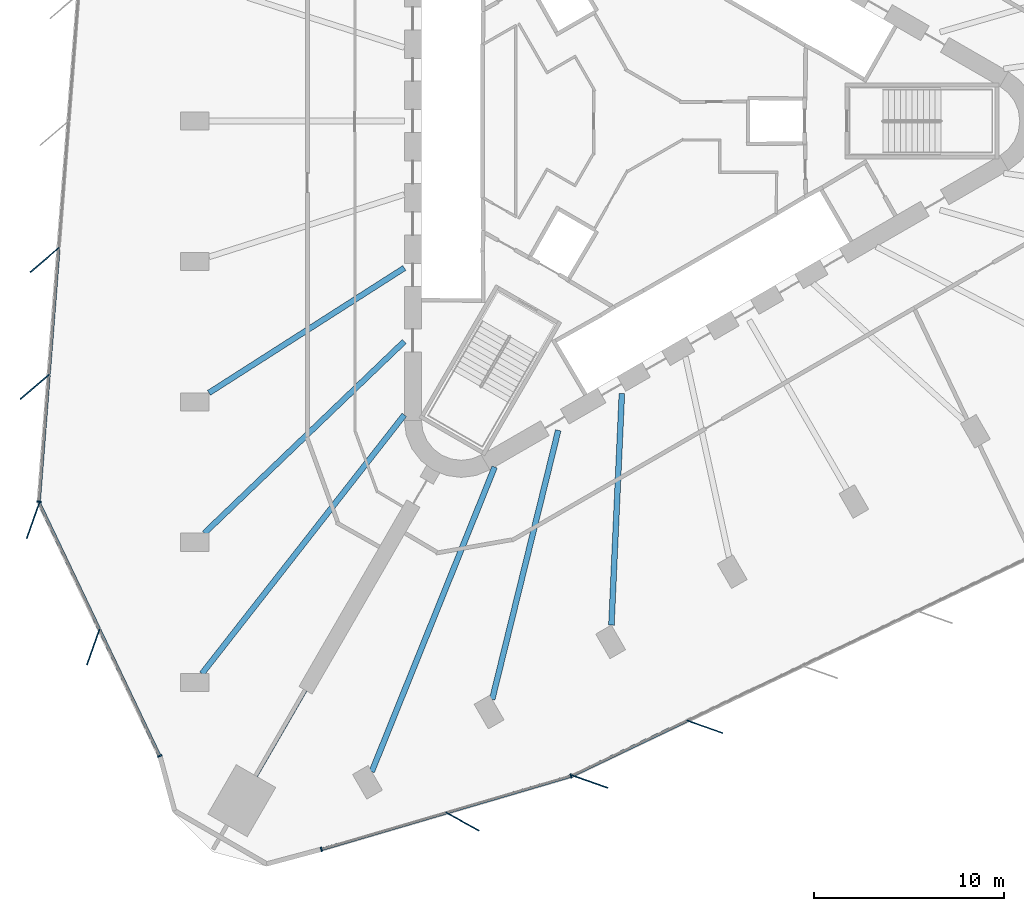
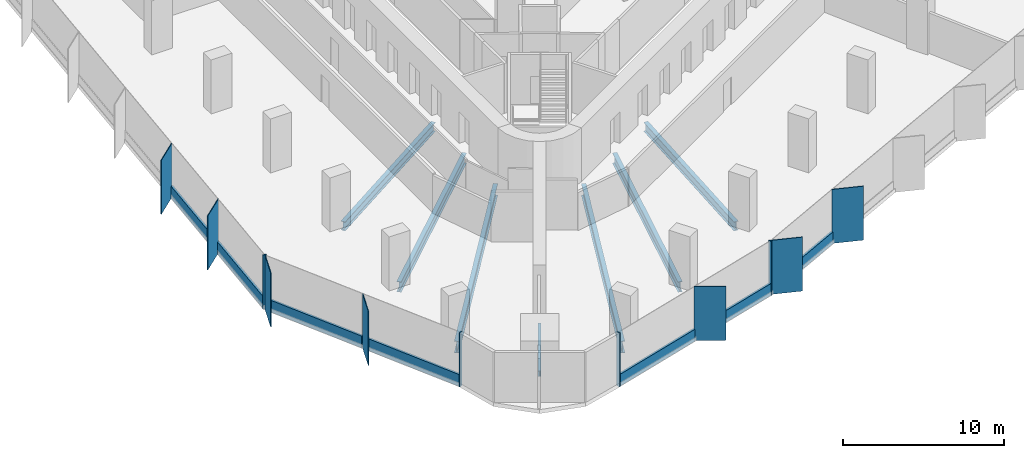
# One storey, part 2 of 14: 18 members, 7 beams, 4 elements without a shape of their own.
"""IFC4 building model written with IfcOpenShell, lengths in metres."""

from ifc_helpers import new_model, si_unit, direction, frame, origin, origin_2d, place, context, subcontext, project, spatial, rectangle, i_section, extrude, material, material_profile, profile_set, type_object, element, aggregate, save


model = new_model("IFC4")

# Units and contexts
model_context = context("Model", 3, precision=1e-05, world=origin(), true_north=direction((0.0, 1.0)))
body_context = subcontext(model_context, "Body", "Model", "MODEL_VIEW")
ifc_project = project(units=[si_unit("LENGTHUNIT", "METRE"), si_unit("AREAUNIT", "SQUARE_METRE"), si_unit("VOLUMEUNIT", "CUBIC_METRE"), si_unit("PLANEANGLEUNIT", "RADIAN"), si_unit("MASSUNIT", "GRAM", prefix="KILO")], contexts=[model_context])

# Site, building, storey
site_placement = place(None, origin())
site = spatial("IfcSite", under=ifc_project, at=site_placement, CompositionType="ELEMENT")
building_placement = place(site_placement, origin())
building = spatial("IfcBuilding", under=site, at=building_placement, Name="Tanit Gate Tower", CompositionType="ELEMENT")
storey_placement = place(building_placement, frame((0.0, 0.0, 90.60009765625)))
storey = spatial("IfcBuildingStorey", under=building, at=storey_placement, Name="L18", CompositionType="ELEMENT", Elevation=90.60009765625)

# Curtain wall, members
ifc_material_1 = material(Name="Aluminium bronze anodised and glass", Category="aluminium")
curtain_wall_type = type_object("IfcCurtainWallType", Name="Curtain wall typical low", PredefinedType="NOTDEFINED", material=ifc_material_1)
curtain_wall_1_placement = place(storey_placement, origin())
curtain_wall_1 = element("IfcCurtainWall", 1, at=curtain_wall_1_placement, inside=storey, type_object=curtain_wall_type, Name="Curtain wall L18 W2", PredefinedType="NOTDEFINED")
ifc_material_2 = material(Name="Aluminium bronze anodised", Category="aluminium")
ifc_material_profile_1 = material_profile(ifc_material_2, rectangle(XDim=2.0, YDim=0.055908203125, at=origin_2d()), Name="56x2000 bronze fin mullion")
ifc_profile_set_1 = profile_set([ifc_material_profile_1], Name="Aluminium bronze anodised")
member_type_1 = type_object("IfcMemberType", Name="FIN MULLION 56x2000 bronze", PredefinedType="MULLION", material=ifc_profile_set_1)
member_1_placement = place(storey_placement, frame((-31.034912109375, -7.313232421875, -0.300048828125), z_axis=(0.0, 0.0, 1.0), x_axis=(0.75991198916, 0.650025975428, 0.0)))
member_1 = element("IfcMember", 2, at=member_1_placement, type_object=member_type_1, Name="Fin mullion L18 W2.5", PredefinedType="MULLION", context=body_context, shape_type="SweptSolid", body=[
    extrude(rectangle(XDim=2.0, YDim=0.055908203125, at=origin_2d()), origin(), (0.0, 0.0, 1.0), 4.099853515625),
])
member_2_placement = place(storey_placement, frame((-31.5556640625, -13.9931640625, -0.300048828125), z_axis=(0.0, 0.0, 1.0), x_axis=(0.75991198916, 0.650025975428, 0.0)))
member_2 = element("IfcMember", 3, at=member_2_placement, type_object=member_type_1, Name="Fin mullion L18 W2.6", PredefinedType="MULLION", context=body_context, shape_type="SweptSolid", body=[
    extrude(rectangle(XDim=2.0, YDim=0.055908203125, at=origin_2d()), origin(), (0.0, 0.0, 1.0), 4.099853515625),
])

curtain_wall_2_placement = place(storey_placement, origin())
curtain_wall_2 = element("IfcCurtainWall", 4, at=curtain_wall_2_placement, inside=storey, type_object=curtain_wall_type, Name="Curtain wall L18 W3", PredefinedType="NOTDEFINED")
member_3_placement = place(storey_placement, frame((-31.646240234375, -21.034912109375, -0.300048828125), z_axis=(0.0, 0.0, 1.0), x_axis=(0.334360696003, 0.942445184065, 0.0)))
member_3 = element("IfcMember", 5, at=member_3_placement, type_object=member_type_1, Name="Fin mullion L18 W3.1", PredefinedType="MULLION", context=body_context, shape_type="SweptSolid", body=[
    extrude(rectangle(XDim=2.0, YDim=0.055908203125, at=origin_2d()), origin(), (0.0, 0.0, 1.0), 4.099853515625),
])
member_4_placement = place(storey_placement, frame((-28.47705078125, -27.689453125, -0.300048828125), z_axis=(0.0, 0.0, 1.0), x_axis=(0.334360696003, 0.942445184065, 0.0)))
member_4 = element("IfcMember", 6, at=member_4_placement, type_object=member_type_1, Name="Fin mullion L18 W3.2", PredefinedType="MULLION", context=body_context, shape_type="SweptSolid", body=[
    extrude(rectangle(XDim=2.0, YDim=0.055908203125, at=origin_2d()), origin(), (0.0, 0.0, 1.0), 4.099853515625),
])

# Curtain wall, member
curtain_wall_3_placement = place(storey_placement, origin())
curtain_wall_3 = element("IfcCurtainWall", 7, at=curtain_wall_3_placement, inside=storey, type_object=curtain_wall_type, Name="Curtain wall L18 SE1", PredefinedType="NOTDEFINED")
member_5_placement = place(storey_placement, frame((-9.0390625, -36.87841796875, -0.300048828125), z_axis=(0.0, 0.0, 1.0), x_axis=(-0.877748339381, 0.479121960166, 0.0)))
member_5 = element("IfcMember", 8, at=member_5_placement, type_object=member_type_1, Name="Fin mullion L18 SE1.2", PredefinedType="MULLION", context=body_context, shape_type="SweptSolid", body=[
    extrude(rectangle(XDim=2.0, YDim=0.055908203125, at=origin_2d()), origin(), (0.0, 0.0, 1.0), 4.099853515625),
])

# Curtain wall, members
curtain_wall_4_placement = place(storey_placement, origin())
curtain_wall_4 = element("IfcCurtainWall", 9, at=curtain_wall_4_placement, inside=storey, type_object=curtain_wall_type, Name="Curtain wall L18 SE2", PredefinedType="NOTDEFINED")
member_6_placement = place(storey_placement, frame((-2.330078125, -34.77685546875, -0.300048828125), z_axis=(0.0, 0.0, 1.0), x_axis=(-0.94289500242, 0.333090099539, 0.0)))
member_6 = element("IfcMember", 10, at=member_6_placement, type_object=member_type_1, Name="Fin mullion L18 SE2.1", PredefinedType="MULLION", context=body_context, shape_type="SweptSolid", body=[
    extrude(rectangle(XDim=2.0, YDim=0.055908203125, at=origin_2d()), origin(), (0.0, 0.0, 1.0), 4.099853515625),
])
member_7_placement = place(storey_placement, frame((3.71533203125, -31.8876953125, -0.300048828125), z_axis=(0.0, 0.0, 1.0), x_axis=(-0.94289500242, 0.333090099539, 0.0)))
member_7 = element("IfcMember", 11, at=member_7_placement, type_object=member_type_1, Name="Fin mullion L18 SE2.2", PredefinedType="MULLION", context=body_context, shape_type="SweptSolid", body=[
    extrude(rectangle(XDim=2.0, YDim=0.055908203125, at=origin_2d()), origin(), (0.0, 0.0, 1.0), 4.099853515625),
])

# Member
ifc_material_3 = material(Name="Aluminium bronze anodised", Category="aluminium")
ifc_material_profile_2 = material_profile(ifc_material_3, rectangle(XDim=0.239990234375, YDim=0.080078125, at=origin_2d()), Name="80x240 bronze mullion")
ifc_profile_set_2 = profile_set([ifc_material_profile_2], Name="Aluminium bronze anodised")
member_type_2 = type_object("IfcMemberType", Name="Mullion 80x240 typical low", PredefinedType="MULLION", material=ifc_profile_set_2)
member_8_placement = place(storey_placement, frame((-31.33349609375, -20.037841796875, -0.300048828125), z_axis=(0.0, 0.0, 1.0), x_axis=(0.996976695812, -0.077701145467, 0.0)))
member_8 = element("IfcMember", 12, at=member_8_placement, type_object=member_type_2, Name="Mullion L18 W2.7", PredefinedType="MULLION", context=body_context, shape_type="SweptSolid", body=[
    extrude(rectangle(XDim=0.239990234375, YDim=0.080078125, at=origin_2d()), origin(), (0.0, 0.0, 1.0), 4.099853515625),
])

member_9_placement = place(storey_placement, frame((-24.98095703125, -33.4228515625, -0.300048828125), z_axis=(0.0, 0.0, 1.0), x_axis=(0.902838096055, 0.429980665043, 0.0)))
member_9 = element("IfcMember", 13, at=member_9_placement, type_object=member_type_2, Name="Mullion L18 W3.3", PredefinedType="MULLION", context=body_context, shape_type="SweptSolid", body=[
    extrude(rectangle(XDim=0.239990234375, YDim=0.080078125, at=origin_2d()), origin(), (0.0, 0.0, 1.0), 4.099853515625),
])

member_10_placement = place(storey_placement, frame((-16.468017578125, -38.340576171875, -0.300048828125), z_axis=(0.0, 0.0, 1.0), x_axis=(-0.281871415903, 0.959452190001, 0.0)))
member_10 = element("IfcMember", 14, at=member_10_placement, type_object=member_type_2, Name="Mullion L18 SE1.1", PredefinedType="MULLION", context=body_context, shape_type="SweptSolid", body=[
    extrude(rectangle(XDim=0.239990234375, YDim=0.080078125, at=origin_2d()), origin(), (0.0, 0.0, 1.0), 4.099853515625),
])

member_11_placement = place(storey_placement, frame((-3.325927734375, -34.479736328125, -0.300048828125), z_axis=(0.0, 0.0, 1.0), x_axis=(-0.281871415903, 0.959452190001, 0.0)))
member_11 = element("IfcMember", 15, at=member_11_placement, type_object=member_type_2, Name="Mullion L18 SE1.3", PredefinedType="MULLION", context=body_context, shape_type="SweptSolid", body=[
    extrude(rectangle(XDim=0.239990234375, YDim=0.080078125, at=origin_2d()), origin(), (0.0, 0.0, 1.0), 4.099853515625),
])

# Beams
ifc_material_4 = material(Name="Steel S355", Category="steel")
ifc_material_profile_3 = material_profile(ifc_material_4, i_section(OverallWidth=0.300048828125, OverallDepth=0.68994140625, WebThickness=0.014404296875, FlangeThickness=0.027099609375, FilletRadius=0.027099609375, at=origin_2d()), Name="HEA 700")
ifc_profile_set_3 = profile_set([ifc_material_profile_3], Name="Steel S355")
beam_type_1 = type_object("IfcBeamType", Name="RADIAL GIRDER HEA 700 S355", PredefinedType="BEAM", material=ifc_profile_set_3)
for number, where, z_axis, x_axis, name in (
    (16, (-22.3837890625, -14.307861328125, -0.64501953125), (0.842570670287, 0.538585801494, 0.0), (-0.538585801494, 0.842570670287, 0.0), "RADIAL GIRDER"),
    (17, (-1.19921875, -26.538818359375, -0.64501953125), (0.045135401382, 0.998980878467, 0.0), (-0.998980878467, 0.045135401382, 0.0), "RADIAL GIRDER"),
):
    element("IfcBeam", number, at=place(storey_placement, frame(where, z_axis=z_axis, x_axis=x_axis)), inside=storey, type_object=beam_type_1, Name=name, PredefinedType="BEAM", context=body_context, shape_type="SweptSolid", body=[
        extrude(i_section(OverallWidth=0.300048828125, OverallDepth=0.68994140625, WebThickness=0.014404296875, FlangeThickness=0.027099609375, FilletRadius=0.027099609375, at=origin_2d()), origin(), (0.0, 0.0, 1.0), 12.202880859375),
    ])
ifc_material_5 = material(Name="Steel S355", Category="steel")
ifc_material_profile_4 = material_profile(ifc_material_5, i_section(OverallWidth=0.300048828125, OverallDepth=0.7900390625, WebThickness=0.014892578125, FlangeThickness=0.028076171875, FilletRadius=0.030029296875, at=origin_2d()), Name="HEA 800")
ifc_profile_set_4 = profile_set([ifc_material_profile_4], Name="Steel S355")
beam_type_2 = type_object("IfcBeamType", Name="RADIAL GIRDER HEA 800 S355", PredefinedType="BEAM", material=ifc_profile_set_4)
for number, where, z_axis, x_axis, name in (
    (18, (-22.63134765625, -21.69921875, -0.695068359375), (0.721812607452, 0.692088549048, 0.0), (-0.692088549048, 0.721812607452, 0.0), "RADIAL GIRDER"),
    (19, (-7.476318359375, -30.44921875, -0.695068359375), (0.238441937153, 0.97115675491, 0.0), (-0.97115675491, 0.238441937153, 0.0), "RADIAL GIRDER"),
):
    element("IfcBeam", number, at=place(storey_placement, frame(where, z_axis=z_axis, x_axis=x_axis)), inside=storey, type_object=beam_type_2, Name=name, PredefinedType="BEAM", context=body_context, shape_type="SweptSolid", body=[
        extrude(i_section(OverallWidth=0.300048828125, OverallDepth=0.7900390625, WebThickness=0.014892578125, FlangeThickness=0.028076171875, FilletRadius=0.030029296875, at=origin_2d()), origin(), (0.0, 0.0, 1.0), 14.58740234375),
    ])
ifc_material_6 = material(Name="Steel S355", Category="steel")
ifc_material_profile_5 = material_profile(ifc_material_6, i_section(OverallWidth=0.300048828125, OverallDepth=0.889892578125, WebThickness=0.01611328125, FlangeThickness=0.030029296875, FilletRadius=0.030029296875, at=origin_2d()), Name="HEA 900")
ifc_profile_set_5 = profile_set([ifc_material_profile_5], Name="Steel S355")
beam_type_3 = type_object("IfcBeamType", Name="RADIAL GIRDER HEA 900 S355", PredefinedType="BEAM", material=ifc_profile_set_5)
for number, where, z_axis, x_axis, name in (
    (20, (-22.755126953125, -29.0908203125, -0.7451171875), (0.616108365998, 0.787661400188, 0.0), (-0.787661400188, 0.616108365998, 0.0), "RADIAL GIRDER"),
    (21, (-13.815673828125, -34.251953125, -0.7451171875), (0.374069410217, 0.927400709693, 0.0), (-0.927400709693, 0.374069410217, 0.0), "RADIAL GIRDER"),
):
    element("IfcBeam", number, at=place(storey_placement, frame(where, z_axis=z_axis, x_axis=x_axis)), inside=storey, type_object=beam_type_3, Name=name, PredefinedType="BEAM", context=body_context, shape_type="SweptSolid", body=[
        extrude(i_section(OverallWidth=0.300048828125, OverallDepth=0.889892578125, WebThickness=0.01611328125, FlangeThickness=0.030029296875, FilletRadius=0.030029296875, at=origin_2d()), origin(), (0.0, 0.0, 1.0), 17.291015625),
    ])
ifc_material_7 = material(Name="Steel S355", Category="steel")
ifc_material_profile_6 = material_profile(ifc_material_7, i_section(OverallWidth=0.179931640625, OverallDepth=0.39990234375, WebThickness=0.008544921875, FlangeThickness=0.013427734375, FilletRadius=0.02099609375, at=origin_2d()), Name="IPE 400")
ifc_profile_set_6 = profile_set([ifc_material_profile_6], Name="Steel S355")
beam_type_4 = type_object("IfcBeamType", Name="RADIAL GIRDER IPE 400 S355", PredefinedType="BEAM", material=ifc_profile_set_6)
beam_placement = place(storey_placement, frame((-19.9091796875, -34.483642578125, -0.5), z_axis=(0.500022437694, 0.866012448988, 0.0), x_axis=(-0.866012448988, 0.500022437694, 0.0)))
element("IfcBeam", 22, at=beam_placement, inside=storey, type_object=beam_type_4, Name="RADIAL GIRDER", PredefinedType="BEAM", context=body_context, shape_type="SweptSolid", body=[
    extrude(i_section(OverallWidth=0.179931640625, OverallDepth=0.39990234375, WebThickness=0.008544921875, FlangeThickness=0.013427734375, FilletRadius=0.02099609375, at=origin_2d()), origin(), (0.0, 0.0, 1.0), 5.213134765625),
])

# Member
ifc_material_8 = material(Name="Aluminium bronze anodised", Category="aluminium")
ifc_material_profile_7 = material_profile(ifc_material_8, rectangle(XDim=0.159912109375, YDim=0.89990234375, at=origin_2d()), Name="160x900 bronze transom")
ifc_profile_set_7 = profile_set([ifc_material_profile_7], Name="Aluminium bronze anodised")
member_type_3 = type_object("IfcMemberType", Name="Transom 160x900 typical low", PredefinedType="USERDEFINED", material=ifc_profile_set_7)
member_12_placement = place(storey_placement, frame((-30.29541015625, -6.718017578125, 0.14990234375), z_axis=(-0.077703246028, -0.996976532099, 0.0), x_axis=(0.996976532099, -0.077703246028, 0.0)))
member_12 = element("IfcMember", 23, at=member_12_placement, type_object=member_type_3, Name="Transom L18 W2.5", ObjectType="TRANSOM", PredefinedType="USERDEFINED", context=body_context, shape_type="SweptSolid", body=[
    extrude(rectangle(XDim=0.159912109375, YDim=0.89990234375, at=origin_2d()), origin(), (0.0, 0.0, 1.0), 6.6201171875),
])

member_13_placement = place(storey_placement, frame((-30.81591796875, -13.397705078125, 0.14990234375), z_axis=(-0.077700389209, -0.996976754752, 0.0), x_axis=(0.996976754752, -0.077700389209, 0.0)))
member_13 = element("IfcMember", 24, at=member_13_placement, type_object=member_type_3, Name="Transom L18 W2.6", ObjectType="TRANSOM", PredefinedType="USERDEFINED", context=body_context, shape_type="SweptSolid", body=[
    extrude(rectangle(XDim=0.159912109375, YDim=0.89990234375, at=origin_2d()), origin(), (0.0, 0.0, 1.0), 6.620361328125),
])

aggregate(curtain_wall_1, [member_1, member_2, member_8, member_12, member_13])

member_14_placement = place(storey_placement, frame((-31.30224609375, -20.14990234375, 0.14990234375), z_axis=(0.429972575898, -0.902841948503, 0.0), x_axis=(0.902841948503, 0.429972575898, 0.0)))
member_14 = element("IfcMember", 25, at=member_14_placement, type_object=member_type_3, Name="Transom L18 W3.1", ObjectType="TRANSOM", PredefinedType="USERDEFINED", context=body_context, shape_type="SweptSolid", body=[
    extrude(rectangle(XDim=0.159912109375, YDim=0.89990234375, at=origin_2d()), origin(), (0.0, 0.0, 1.0), 7.29052734375),
])

member_15_placement = place(storey_placement, frame((-28.133056640625, -26.804443359375, 0.14990234375), z_axis=(0.429999871319, -0.90282894873, 0.0), x_axis=(0.90282894873, 0.429999871319, 0.0)))
member_15 = element("IfcMember", 26, at=member_15_placement, type_object=member_type_3, Name="Transom L18 W3.2", ObjectType="TRANSOM", PredefinedType="USERDEFINED", context=body_context, shape_type="SweptSolid", body=[
    extrude(rectangle(XDim=0.159912109375, YDim=0.89990234375, at=origin_2d()), origin(), (0.0, 0.0, 1.0), 7.290771484375),
])

aggregate(curtain_wall_2, [member_3, member_4, member_9, member_14, member_15])

member_16_placement = place(storey_placement, frame((-16.4296875, -38.329345703125, 0.14990234375), z_axis=(0.959451607143, 0.281873399865, 0.0), x_axis=(-0.281873399865, 0.959451607143, 0.0)))
member_16 = element("IfcMember", 27, at=member_16_placement, type_object=member_type_3, Name="Transom L18 SE1.1", ObjectType="TRANSOM", PredefinedType="USERDEFINED", context=body_context, shape_type="SweptSolid", body=[
    extrude(rectangle(XDim=0.159912109375, YDim=0.89990234375, at=origin_2d()), origin(), (0.0, 0.0, 1.0), 6.768798828125),
])

member_17_placement = place(storey_placement, frame((-9.858642578125, -36.39892578125, 0.14990234375), z_axis=(0.959448741277, 0.281883154627, 0.0), x_axis=(-0.281883154627, 0.959448741277, 0.0)))
member_17 = element("IfcMember", 28, at=member_17_placement, type_object=member_type_3, Name="Transom L18 SE1.2", ObjectType="TRANSOM", PredefinedType="USERDEFINED", context=body_context, shape_type="SweptSolid", body=[
    extrude(rectangle(XDim=0.159912109375, YDim=0.89990234375, at=origin_2d()), origin(), (0.0, 0.0, 1.0), 6.7685546875),
])

aggregate(curtain_wall_3, [member_10, member_5, member_11, member_16, member_17])

member_18_placement = place(storey_placement, frame((-3.215576171875, -34.433837890625, 0.14990234375), z_axis=(0.902265239929, 0.431181443033, 0.0), x_axis=(-0.431181443033, 0.902265239929, 0.0)))
member_18 = element("IfcMember", 29, at=member_18_placement, type_object=member_type_3, Name="Transom L18 SE2.1", ObjectType="TRANSOM", PredefinedType="USERDEFINED", context=body_context, shape_type="SweptSolid", body=[
    extrude(rectangle(XDim=0.159912109375, YDim=0.89990234375, at=origin_2d()), origin(), (0.0, 0.0, 1.0), 6.6201171875),
])

aggregate(curtain_wall_4, [member_6, member_7, member_18])

save(model, "model.ifc")
